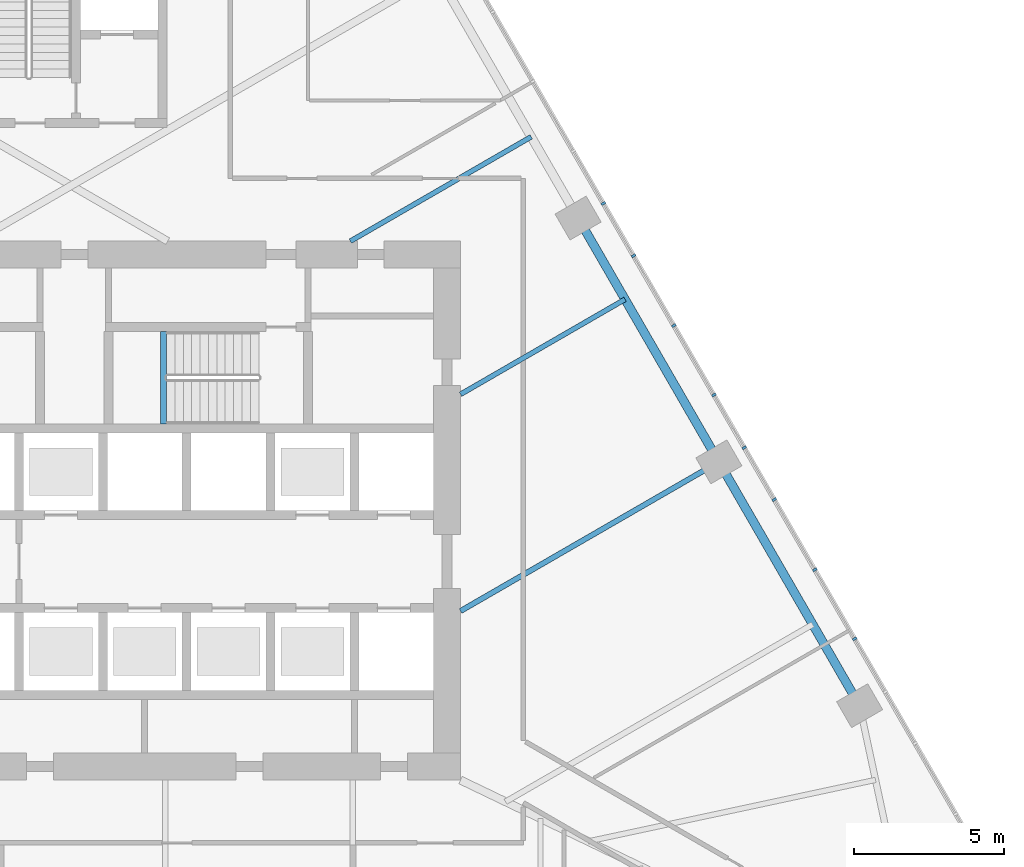
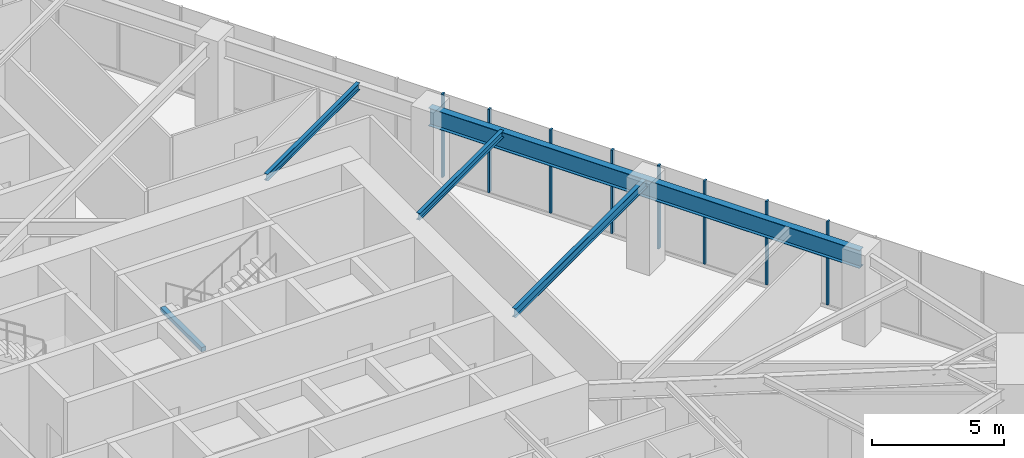
# One storey, part 7 of 21: 8 members, 5 beams, 1 element without a shape of its own.
"""IFC4 building model written with IfcOpenShell, lengths in metres."""

from ifc_helpers import new_model, si_unit, direction, frame, origin, origin_2d, place, context, subcontext, project, spatial, rectangle, i_section, extrude, material, layer, layer_set, material_profile, profile_set, type_object, element, aggregate, save


model = new_model("IFC4")

# Units and contexts
model_context = context("Model", 3, precision=1e-05, world=origin(), true_north=direction((0.0, 1.0)))
body_context = subcontext(model_context, "Body", "Model", "MODEL_VIEW")
ifc_project = project(units=[si_unit("LENGTHUNIT", "METRE"), si_unit("AREAUNIT", "SQUARE_METRE"), si_unit("VOLUMEUNIT", "CUBIC_METRE"), si_unit("PLANEANGLEUNIT", "RADIAN"), si_unit("MASSUNIT", "GRAM", prefix="KILO")], contexts=[model_context])

# Site, building, storey
site_placement = place(None, origin())
site = spatial("IfcSite", under=ifc_project, at=site_placement, CompositionType="ELEMENT")
building_placement = place(site_placement, origin())
building = spatial("IfcBuilding", under=site, at=building_placement, Name="Firuza Gate Tower and Library", CompositionType="ELEMENT")
storey_placement = place(building_placement, frame((0.0, 0.0, 98.800048828125)))
storey = spatial("IfcBuildingStorey", under=building, at=storey_placement, Name="L22", CompositionType="ELEMENT", Elevation=98.800048828125)

# Curtain wall, members
ifc_material_1 = material(Name="Aluminium 6063-T6", Category="aluminium")
ifc_layer = layer(ifc_material_1, 0.14990234375)
ifc_layer_set = layer_set([ifc_layer], Name="Unitised curtain wall, offices")
curtain_wall_type = type_object("IfcCurtainWallType", Name="Unitised curtain wall, offices", PredefinedType="NOTDEFINED", material=ifc_layer_set)
curtain_wall_placement = place(storey_placement, origin())
curtain_wall = element("IfcCurtainWall", 1, at=curtain_wall_placement, inside=storey, type_object=curtain_wall_type, Name="CW1 L22 E face", PredefinedType="NOTDEFINED")
ifc_material_2 = material(Name="Aluminium 6063-T6", Category="aluminium")
ifc_material_profile_1 = material_profile(ifc_material_2, rectangle(XDim=0.14990234375, YDim=0.080078125, at=origin_2d()))
ifc_profile_set_1 = profile_set([ifc_material_profile_1], Name="Aluminium 6063-T6")
member_type = type_object("IfcMemberType", Name="Curtain wall mullion 80x150", PredefinedType="MULLION", material=ifc_profile_set_1)
member_1_placement = place(storey_placement, frame((99.833251953125, 73.025390625, 0.14990234375), z_axis=(0.0, 0.0, 1.0), x_axis=(-0.866025403784, -0.5, 0.0)))
member_1 = element("IfcMember", 2, at=member_1_placement, type_object=member_type, Name="Mullion", PredefinedType="MULLION", context=body_context, shape_type="SweptSolid", body=[
    extrude(rectangle(XDim=0.14990234375, YDim=0.080078125, at=origin_2d()), origin(), (0.0, 0.0, 1.0), 3.85009765625),
])
member_2_placement = place(storey_placement, frame((97.47900390625, 77.103515625, 0.14990234375), z_axis=(0.0, 0.0, 1.0), x_axis=(-0.866025403784, -0.5, 0.0)))
member_2 = element("IfcMember", 3, at=member_2_placement, type_object=member_type, Name="Mullion", PredefinedType="MULLION", context=body_context, shape_type="SweptSolid", body=[
    extrude(rectangle(XDim=0.14990234375, YDim=0.080078125, at=origin_2d()), origin(), (0.0, 0.0, 1.0), 3.85009765625),
])
member_3_placement = place(storey_placement, frame((95.12451171875, 81.181396484375, 0.14990234375), z_axis=(0.0, 0.0, 1.0), x_axis=(-0.866025403784, -0.5, 0.0)))
member_3 = element("IfcMember", 4, at=member_3_placement, type_object=member_type, Name="Mullion", PredefinedType="MULLION", context=body_context, shape_type="SweptSolid", body=[
    extrude(rectangle(XDim=0.14990234375, YDim=0.080078125, at=origin_2d()), origin(), (0.0, 0.0, 1.0), 3.85009765625),
])
member_4_placement = place(storey_placement, frame((92.77001953125, 85.259521484375, 0.14990234375), z_axis=(0.0, 0.0, 1.0), x_axis=(-0.866025403784, -0.5, 0.0)))
member_4 = element("IfcMember", 5, at=member_4_placement, type_object=member_type, Name="Mullion", PredefinedType="MULLION", context=body_context, shape_type="SweptSolid", body=[
    extrude(rectangle(XDim=0.14990234375, YDim=0.080078125, at=origin_2d()), origin(), (0.0, 0.0, 1.0), 3.85009765625),
])
member_5_placement = place(storey_placement, frame((101.1650390625, 70.718994140625, 0.14990234375), z_axis=(0.0, 0.0, 1.0), x_axis=(-0.866025403784, -0.5, 0.0)))
member_5 = element("IfcMember", 6, at=member_5_placement, type_object=member_type, Name="Mullion", PredefinedType="MULLION", context=body_context, shape_type="SweptSolid", body=[
    extrude(rectangle(XDim=0.14990234375, YDim=0.080078125, at=origin_2d()), origin(), (0.0, 0.0, 1.0), 3.85009765625),
])
member_6_placement = place(storey_placement, frame((98.47998046875, 75.369384765625, 0.14990234375), z_axis=(0.0, 0.0, 1.0), x_axis=(-0.866025403784, -0.5, 0.0)))
member_6 = element("IfcMember", 7, at=member_6_placement, type_object=member_type, Name="Mullion", PredefinedType="MULLION", context=body_context, shape_type="SweptSolid", body=[
    extrude(rectangle(XDim=0.14990234375, YDim=0.080078125, at=origin_2d()), origin(), (0.0, 0.0, 1.0), 3.85009765625),
])
member_7_placement = place(storey_placement, frame((96.46337890625, 78.862548828125, 0.14990234375), z_axis=(0.0, 0.0, 1.0), x_axis=(-0.866025403784, -0.5, 0.0)))
member_7 = element("IfcMember", 8, at=member_7_placement, type_object=member_type, Name="Mullion", PredefinedType="MULLION", context=body_context, shape_type="SweptSolid", body=[
    extrude(rectangle(XDim=0.14990234375, YDim=0.080078125, at=origin_2d()), origin(), (0.0, 0.0, 1.0), 3.85009765625),
])
member_8_placement = place(storey_placement, frame((93.7783203125, 83.512939453125, 0.14990234375), z_axis=(0.0, 0.0, 1.0), x_axis=(-0.866025403784, -0.5, 0.0)))
member_8 = element("IfcMember", 9, at=member_8_placement, type_object=member_type, Name="Mullion", PredefinedType="MULLION", context=body_context, shape_type="SweptSolid", body=[
    extrude(rectangle(XDim=0.14990234375, YDim=0.080078125, at=origin_2d()), origin(), (0.0, 0.0, 1.0), 3.85009765625),
])
aggregate(curtain_wall, [member_1, member_2, member_3, member_4, member_5, member_6, member_7, member_8])

# Beams
ifc_material_3 = material(Name="Concrete C35/45", Category="concrete")
ifc_material_profile_2 = material_profile(ifc_material_3, rectangle(XDim=0.199951171875, YDim=0.199951171875, at=origin_2d()))
ifc_profile_set_2 = profile_set([ifc_material_profile_2], Name="Concrete C35/45")
beam_type_1 = type_object("IfcBeamType", Name="Stair landing bearer 200x200", PredefinedType="BEAM", material=ifc_profile_set_2)
beam_1_placement = place(storey_placement, frame((78.080078125, 80.97998046875, 1.800048828125), z_axis=(0.0, -1.0, 0.0), x_axis=(1.0, 0.0, 0.0)))
element("IfcBeam", 10, at=beam_1_placement, inside=storey, type_object=beam_type_1, Name="Landing bearer L22 stair 2", PredefinedType="BEAM", context=body_context, shape_type="SweptSolid", body=[
    extrude(rectangle(XDim=0.199951171875, YDim=0.199951171875, at=origin_2d()), origin(), (0.0, 0.0, 1.0), 3.080078125),
])
ifc_material_4 = material(Name="Steel S355", Category="steel")
ifc_material_profile_3 = material_profile(ifc_material_4, i_section(OverallWidth=0.1650390625, OverallDepth=0.31005859375, WebThickness=0.005859375, FlangeThickness=0.009765625, at=origin_2d()))
ifc_profile_set_3 = profile_set([ifc_material_profile_3], Name="Steel S355")
beam_type_2 = type_object("IfcBeamType", Name="W310x39 Floor beam", PredefinedType="JOIST", material=ifc_profile_set_3)
beam_2_placement = place(storey_placement, frame((93.492919921875, 82.0576171875, 3.844970703125), z_axis=(-0.866022132074, -0.500005666725, 0.0), x_axis=(0.500005666725, -0.866022132074, 0.0)))
element("IfcBeam", 11, at=beam_2_placement, inside=storey, type_object=beam_type_2, Name="Floor beam L22 s52", PredefinedType="JOIST", context=body_context, shape_type="SweptSolid", body=[
    extrude(i_section(OverallWidth=0.1650390625, OverallDepth=0.31005859375, WebThickness=0.005859375, FlangeThickness=0.009765625, at=origin_2d()), origin(), (0.0, 0.0, 1.0), 6.3427734375),
])
beam_3_placement = place(storey_placement, frame((90.3583984375, 87.486572265625, 3.844970703125), z_axis=(-0.866021748659, -0.50000633081, 0.0), x_axis=(0.50000633081, -0.866021748659, 0.0)))
element("IfcBeam", 12, at=beam_3_placement, inside=storey, type_object=beam_type_2, Name="Floor beam L22 s53", PredefinedType="JOIST", context=body_context, shape_type="SweptSolid", body=[
    extrude(i_section(OverallWidth=0.1650390625, OverallDepth=0.31005859375, WebThickness=0.005859375, FlangeThickness=0.009765625, at=origin_2d()), origin(), (0.0, 0.0, 1.0), 6.97314453125),
])
ifc_material_5 = material(Name="Steel S355", Category="steel")
ifc_material_profile_4 = material_profile(ifc_material_5, i_section(OverallWidth=0.177978515625, OverallDepth=0.406982421875, WebThickness=0.0078125, FlangeThickness=0.0126953125, at=origin_2d()))
ifc_profile_set_4 = profile_set([ifc_material_profile_4], Name="Steel S355")
beam_type_3 = type_object("IfcBeamType", Name="W410x60 Floor beam", PredefinedType="JOIST", material=ifc_profile_set_4)
beam_4_placement = place(storey_placement, frame((96.627197265625, 76.62841796875, 3.79638671875), z_axis=(-0.866023562183, -0.500003189735, 0.0), x_axis=(0.500003189735, -0.866023562183, 0.0)))
element("IfcBeam", 13, at=beam_4_placement, inside=storey, type_object=beam_type_3, Name="Floor beam L22 s51", PredefinedType="JOIST", context=body_context, shape_type="SweptSolid", body=[
    extrude(i_section(OverallWidth=0.177978515625, OverallDepth=0.406982421875, WebThickness=0.0078125, FlangeThickness=0.0126953125, at=origin_2d()), origin(), (0.0, 0.0, 1.0), 9.9619140625),
])
ifc_material_6 = material(Name="Steel S355", Category="steel")
ifc_material_profile_5 = material_profile(ifc_material_6, i_section(OverallWidth=0.2919921875, OverallDepth=0.8349609375, WebThickness=0.013916015625, FlangeThickness=0.018798828125, at=origin_2d()))
ifc_profile_set_5 = profile_set([ifc_material_profile_5], Name="Steel S355")
beam_type_4 = type_object("IfcBeamType", Name="W840x176 Edge beam", PredefinedType="SPANDREL", material=ifc_profile_set_5)
beam_5_placement = place(storey_placement, frame((101.3291015625, 68.48486328125, 3.58251953125), z_axis=(-0.500007874956, 0.866020857129, 0.0), x_axis=(-0.866020857129, -0.500007874956, 0.0)))
element("IfcBeam", 14, at=beam_5_placement, inside=storey, type_object=beam_type_4, Name="Edge beam L22 e50", PredefinedType="SPANDREL", context=body_context, shape_type="SweptSolid", body=[
    extrude(i_section(OverallWidth=0.2919921875, OverallDepth=0.8349609375, WebThickness=0.013916015625, FlangeThickness=0.018798828125, at=origin_2d()), origin(), (0.0, 0.0, 1.0), 18.806884765625),
])

save(model, "model.ifc")
